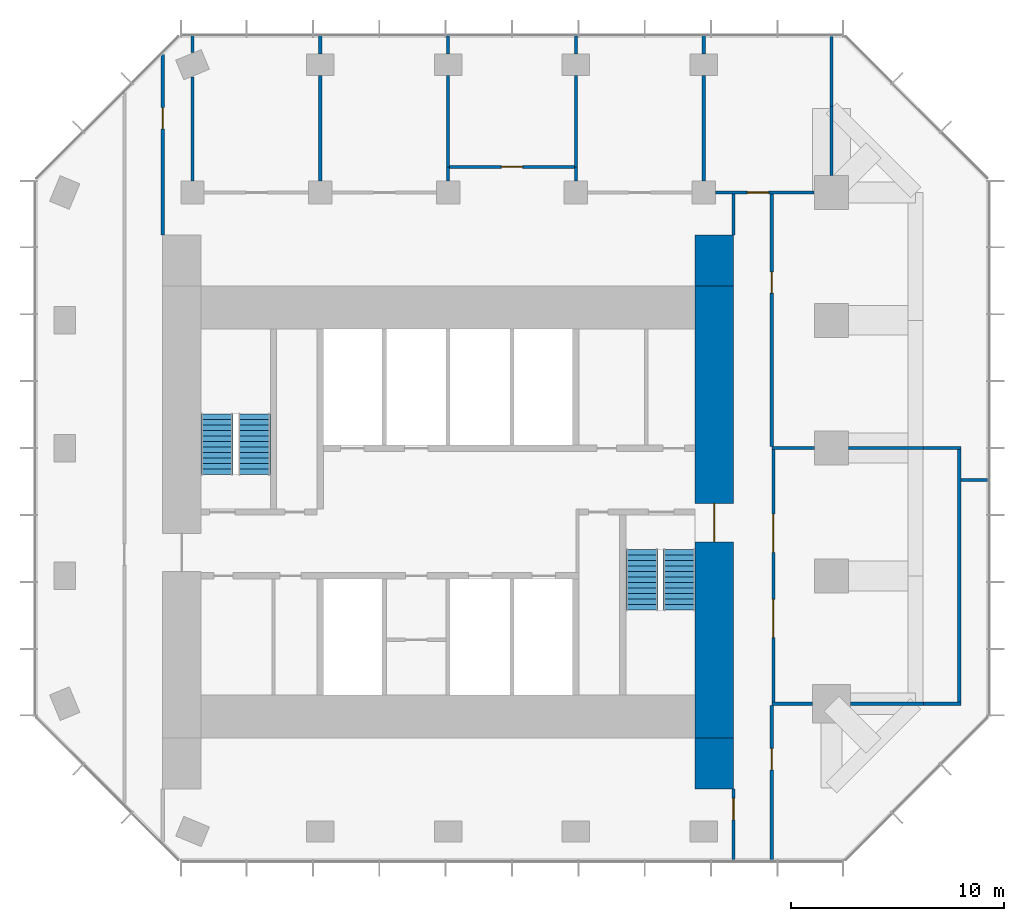
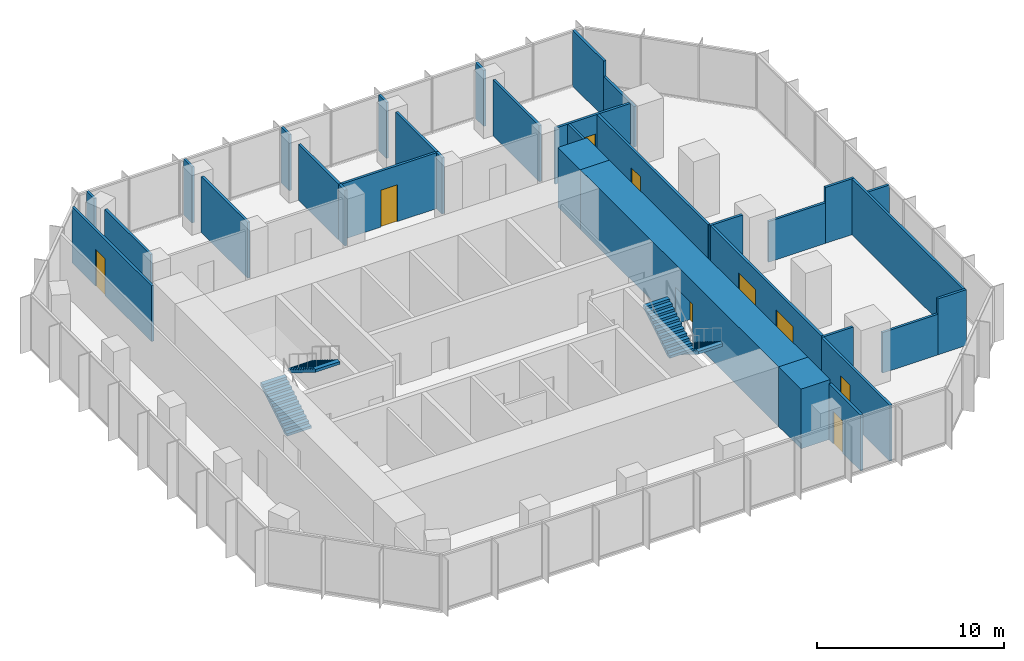
# One storey, part 9 of 10: 33 walls, 9 doors, 4 stair flights, 9 openings, 2 elements without a shape of their own.
"""IFC4 building model written with IfcOpenShell, lengths in metres."""

from ifc_helpers import new_model, si_unit, direction, frame, frame_2d, origin, place, context, subcontext, project, spatial, polyline, rectangle, outline, extrude, material, layer, layer_set, type_object, element, fill, aggregate, save


model = new_model("IFC4")

# Units and contexts
model_context = context("Model", 3, precision=1e-05, world=origin(), true_north=direction((0.0, 1.0)))
body_context = subcontext(model_context, "Body", "Model", "MODEL_VIEW")
ifc_project = project(units=[si_unit("LENGTHUNIT", "METRE"), si_unit("AREAUNIT", "SQUARE_METRE"), si_unit("VOLUMEUNIT", "CUBIC_METRE"), si_unit("PLANEANGLEUNIT", "RADIAN"), si_unit("MASSUNIT", "GRAM", prefix="KILO")], contexts=[model_context])

# Site, building, storey
site_placement = place(None, origin())
site = spatial("IfcSite", under=ifc_project, at=site_placement, CompositionType="ELEMENT")
building_placement = place(site_placement, origin())
building = spatial("IfcBuilding", under=site, at=building_placement, Name="Highveld Stack Headquarters", CompositionType="ELEMENT")
storey_placement = place(building_placement, frame((0.0, 0.0, 245.0)))
storey = spatial("IfcBuildingStorey", under=building, at=storey_placement, Name="L60", CompositionType="ELEMENT", Elevation=245.0)

# Wall, opening, door
ifc_material_1 = material(Name="Concrete C60/75", Category="concrete")
ifc_layer_1 = layer(ifc_material_1, 1.800048828125)
ifc_layer_set_1 = layer_set([ifc_layer_1], Name="Concrete C60/75")
wall_type_1 = type_object("IfcWallType", Name="CORE WALL 1800 C60/75", PredefinedType="SHEAR", material=ifc_layer_set_1)
wall_1_placement = place(storey_placement, frame((18.5, -7.60009765625, 0.0), z_axis=(0.0, 0.0, 1.0), x_axis=(0.0, 1.0, 0.0)))
wall_1 = element("IfcWall", 1, at=wall_1_placement, inside=storey, type_object=wall_type_1, Name="Core wall E L60", PredefinedType="SHEAR", context=body_context, shape_type="SweptSolid", body=[
    extrude(rectangle(XDim=21.2001953125, YDim=1.800048828125, at=frame_2d((10.60009765625, 0.0))), origin(), (0.0, 0.0, 1.0), 3.89990234375),
])
opening_1_placement = place(wall_1_placement, frame((9.199951171875, 0.0, 0.0)))
opening_1 = element("IfcOpeningElement", 2, at=opening_1_placement, cuts=wall_1, Name="Opening L60-02", PredefinedType="OPENING", context=body_context, shape_type="SweptSolid", body=[
    extrude(rectangle(XDim=1.800048828125, YDim=2.39990234375, at=frame_2d((0.89990234375, 1.199951171875))), frame((0.0, 0.909912109375, 0.0), z_axis=(0.0, -1.0, 0.0), x_axis=(1.0, 0.0, 0.0)), (0.0, 0.0, 1.0), 1.820068359375),
])
ifc_material_2 = material(Name="Steel fire door", Category="steel")
door_type_1 = type_object("IfcDoorType", Name="LOBBY FIRE DOOR D4 1800x2400", OperationType="DOUBLE_DOOR_SINGLE_SWING", PredefinedType="DOOR", material=ifc_material_2)
door_1_placement = place(opening_1_placement, origin())
door_1 = element("IfcDoor", 3, at=door_1_placement, inside=storey, type_object=door_type_1, Name="Core east door L60", OperationType="DOUBLE_DOOR_SINGLE_SWING", OverallHeight=2.39990234375, OverallWidth=1.800048828125, PredefinedType="DOOR", context=body_context, shape_type="SweptSolid", body=[
    extrude(rectangle(XDim=1.800048828125, YDim=2.39990234375, at=frame_2d((0.89990234375, 1.199951171875))), frame((0.0, 0.02490234375, 0.0), z_axis=(0.0, -1.0, 0.0), x_axis=(1.0, 0.0, 0.0)), (0.0, 0.0, 1.0), 0.050048828125),
])
fill(opening_1, door_1)

# Walls
ifc_material_3 = material(Name="Concrete C60/75", Category="concrete")
ifc_layer_2 = layer(ifc_material_3, 1.800048828125)
ifc_layer_set_2 = layer_set([ifc_layer_2], Name="Concrete C60/75")
wall_type_2 = type_object("IfcWallType", Name="CORE WING WALL 1800 C60/75", PredefinedType="SHEAR", material=ifc_layer_set_2)
for number, where, z_axis, x_axis, name in (
    (4, (18.5, -10.0, 0.0), (0.0, 0.0, 1.0), (0.0, 1.0, 0.0), "Core wing wall ES L60"),
    (5, (18.5, 13.60009765625, 0.0), (0.0, 0.0, 1.0), (0.0, 1.0, 0.0), "Core wing wall EN L60"),
):
    element("IfcWall", number, at=place(storey_placement, frame(where, z_axis=z_axis, x_axis=x_axis)), inside=storey, type_object=wall_type_2, Name=name, PredefinedType="SHEAR", context=body_context, shape_type="SweptSolid", body=[
        extrude(rectangle(XDim=2.39990234375, YDim=1.800048828125, at=frame_2d((1.199951171875, 0.0))), origin(), (0.0, 0.0, 1.0), 3.89990234375),
    ])
ifc_material_4 = material(Name="Concrete blockwork, plastered", Category="masonry")
ifc_layer_3 = layer(ifc_material_4, 0.14990234375)
ifc_layer_set_3 = layer_set([ifc_layer_3], Name="Concrete blockwork, plastered")
wall_type_3 = type_object("IfcWallType", Name="FIRE PARTITION 150 BLOCKWORK", PredefinedType="PARTITIONING", material=ifc_layer_set_3)
wall_2_placement = place(storey_placement, frame((21.199951171875, -6.0, 0.0), z_axis=(0.0, 0.0, 1.0), x_axis=(1.0, 0.0, 0.0)))
element("IfcWall", 6, at=wall_2_placement, inside=storey, type_object=wall_type_3, Name="Partition Sky lobby L60", PredefinedType="PARTITIONING", context=body_context, shape_type="SweptSolid", body=[
    extrude(rectangle(XDim=1.900146484375, YDim=0.14990234375, at=frame_2d((0.9501953125, 0.0))), origin(), (0.0, 0.0, 1.0), 3.64990234375),
])
wall_3_placement = place(storey_placement, frame((24.89990234375, -6.0, 0.0), z_axis=(0.0, 0.0, 1.0), x_axis=(1.0, 0.0, 0.0)))
element("IfcWall", 7, at=wall_3_placement, inside=storey, type_object=wall_type_3, Name="Partition Sky lobby L60", PredefinedType="PARTITIONING", context=body_context, shape_type="SweptSolid", body=[
    extrude(rectangle(XDim=3.41015625, YDim=0.14990234375, at=frame_2d((1.705078125, 0.0))), origin(), (0.0, 0.0, 1.0), 2.64990234375),
])
wall_4_placement = place(storey_placement, frame((28.31005859375, -6.0, 0.0), z_axis=(0.0, 0.0, 1.0), x_axis=(1.0, 0.0, 0.0)))
element("IfcWall", 8, at=wall_4_placement, inside=storey, type_object=wall_type_3, Name="Partition Sky lobby L60", PredefinedType="PARTITIONING", context=body_context, shape_type="SweptSolid", body=[
    extrude(rectangle(XDim=1.764892578125, YDim=0.14990234375, at=frame_2d((0.88232421875, 0.0))), origin(), (0.0, 0.0, 1.0), 3.64990234375),
])
wall_5_placement = place(storey_placement, frame((21.199951171875, 6.0, 0.0), z_axis=(0.0, 0.0, 1.0), x_axis=(1.0, 0.0, 0.0)))
element("IfcWall", 9, at=wall_5_placement, inside=storey, type_object=wall_type_3, Name="Partition Sky lobby L60", PredefinedType="PARTITIONING", context=body_context, shape_type="SweptSolid", body=[
    extrude(rectangle(XDim=2.0, YDim=0.14990234375, at=frame_2d((1.0, 0.0))), origin(), (0.0, 0.0, 1.0), 3.64990234375),
])
wall_6_placement = place(storey_placement, frame((24.800048828125, 6.0, 0.0), z_axis=(0.0, 0.0, 1.0), x_axis=(1.0, 0.0, 0.0)))
element("IfcWall", 10, at=wall_6_placement, inside=storey, type_object=wall_type_3, Name="Partition Sky lobby L60", PredefinedType="PARTITIONING", context=body_context, shape_type="SweptSolid", body=[
    extrude(rectangle(XDim=3.510009765625, YDim=0.14990234375, at=frame_2d((1.7548828125, 0.0))), origin(), (0.0, 0.0, 1.0), 2.64990234375),
])
wall_7_placement = place(storey_placement, frame((28.31005859375, 6.0, 0.0), z_axis=(0.0, 0.0, 1.0), x_axis=(1.0, 0.0, 0.0)))
element("IfcWall", 11, at=wall_7_placement, inside=storey, type_object=wall_type_3, Name="Partition Sky lobby L60", PredefinedType="PARTITIONING", context=body_context, shape_type="SweptSolid", body=[
    extrude(rectangle(XDim=1.764892578125, YDim=0.14990234375, at=frame_2d((0.88232421875, 0.0))), origin(), (0.0, 0.0, 1.0), 3.64990234375),
])

# Wall, openings, doors
wall_8_placement = place(storey_placement, frame((21.27490234375, -5.925048828125, 0.0), z_axis=(0.0, 0.0, 1.0), x_axis=(0.0, 1.0, 0.0)))
wall_8 = element("IfcWall", 12, at=wall_8_placement, inside=storey, type_object=wall_type_3, Name="Partition Sky lobby L60", PredefinedType="PARTITIONING", context=body_context, shape_type="SweptSolid", body=[
    extrude(rectangle(XDim=11.85009765625, YDim=0.14990234375, at=frame_2d((5.925048828125, 0.0))), origin(), (0.0, 0.0, 1.0), 3.64990234375),
])
opening_2_placement = place(wall_8_placement, frame((3.02490234375, 0.0, 0.0)))
opening_2 = element("IfcOpeningElement", 13, at=opening_2_placement, cuts=wall_8, Name="Opening L60-13", PredefinedType="OPENING", context=body_context, shape_type="SweptSolid", body=[
    extrude(rectangle(XDim=1.800048828125, YDim=2.39990234375, at=frame_2d((0.89990234375, 1.199951171875))), frame((0.0, 0.0849609375, 0.0), z_axis=(0.0, -1.0, 0.0), x_axis=(1.0, 0.0, 0.0)), (0.0, 0.0, 1.0), 0.169921875),
])
opening_3_placement = place(wall_8_placement, frame((7.02490234375, 0.0, 0.0)))
opening_3 = element("IfcOpeningElement", 14, at=opening_3_placement, cuts=wall_8, Name="Opening L60-14", PredefinedType="OPENING", context=body_context, shape_type="SweptSolid", body=[
    extrude(rectangle(XDim=1.800048828125, YDim=2.39990234375, at=frame_2d((0.89990234375, 1.199951171875))), frame((0.0, 0.0849609375, 0.0), z_axis=(0.0, -1.0, 0.0), x_axis=(1.0, 0.0, 0.0)), (0.0, 0.0, 1.0), 0.169921875),
])
door_2_placement = place(opening_2_placement, origin())
door_2 = element("IfcDoor", 15, at=door_2_placement, inside=storey, type_object=door_type_1, Name="Sky lobby door 1 L60", OperationType="DOUBLE_DOOR_SINGLE_SWING", OverallHeight=2.39990234375, OverallWidth=1.800048828125, PredefinedType="DOOR", context=body_context, shape_type="SweptSolid", body=[
    extrude(rectangle(XDim=1.800048828125, YDim=2.39990234375, at=frame_2d((0.89990234375, 1.199951171875))), frame((0.0, 0.02490234375, 0.0), z_axis=(0.0, -1.0, 0.0), x_axis=(1.0, 0.0, 0.0)), (0.0, 0.0, 1.0), 0.050048828125),
])
fill(opening_2, door_2)
door_3_placement = place(opening_3_placement, origin())
door_3 = element("IfcDoor", 16, at=door_3_placement, inside=storey, type_object=door_type_1, Name="Sky lobby door 2 L60", OperationType="DOUBLE_DOOR_SINGLE_SWING", OverallHeight=2.39990234375, OverallWidth=1.800048828125, PredefinedType="DOOR", context=body_context, shape_type="SweptSolid", body=[
    extrude(rectangle(XDim=1.800048828125, YDim=2.39990234375, at=frame_2d((0.89990234375, 1.199951171875))), frame((0.0, 0.02490234375, 0.0), z_axis=(0.0, -1.0, 0.0), x_axis=(1.0, 0.0, 0.0)), (0.0, 0.0, 1.0), 0.050048828125),
])
fill(opening_3, door_3)

# Wall
wall_9_placement = place(storey_placement, frame((30.0, -5.925048828125, 0.0), z_axis=(0.0, 0.0, 1.0), x_axis=(0.0, 1.0, 0.0)))
element("IfcWall", 17, at=wall_9_placement, inside=storey, type_object=wall_type_3, Name="Partition Sky lobby L60", PredefinedType="PARTITIONING", context=body_context, shape_type="SweptSolid", body=[
    extrude(rectangle(XDim=11.85009765625, YDim=0.14990234375, at=frame_2d((5.925048828125, 0.0))), origin(), (0.0, 0.0, 1.0), 3.64990234375),
])

# Wall, opening, door
ifc_material_5 = material(Name="Gypsum plasterboard on steel studs", Category="steel")
ifc_layer_4 = layer(ifc_material_5, 0.14990234375)
ifc_layer_set_4 = layer_set([ifc_layer_4], Name="Gypsum plasterboard on steel studs")
wall_type_4 = type_object("IfcWallType", Name="PARTITION 150 PLASTERBOARD", PredefinedType="PARTITIONING", material=ifc_layer_set_4)
wall_10_placement = place(storey_placement, frame((18.550048828125, 18.0, 0.0), z_axis=(0.0, 0.0, 1.0), x_axis=(1.0, 0.0, 0.0)))
wall_10 = element("IfcWall", 18, at=wall_10_placement, inside=storey, type_object=wall_type_4, Name="Partition Office L60", PredefinedType="PARTITIONING", context=body_context, shape_type="SweptSolid", body=[
    extrude(rectangle(XDim=4.639892578125, YDim=0.14990234375, at=frame_2d((2.31982421875, 0.0))), origin(), (0.0, 0.0, 1.0), 3.64990234375),
])
opening_4_placement = place(wall_10_placement, frame((1.5, 0.0, 0.0)))
opening_4 = element("IfcOpeningElement", 19, at=opening_4_placement, cuts=wall_10, Name="Opening L60-19", PredefinedType="OPENING", context=body_context, shape_type="SweptSolid", body=[
    extrude(rectangle(XDim=1.0, YDim=2.39990234375, at=frame_2d((0.5, 1.199951171875))), frame((0.0, 0.0849609375, 0.0), z_axis=(0.0, -1.0, 0.0), x_axis=(1.0, 0.0, 0.0)), (0.0, 0.0, 1.0), 0.169921875),
])
ifc_material_6 = material(Name="Timber door, oiled ash", Category="wood")
door_type_2 = type_object("IfcDoorType", Name="ROOM DOOR D11 1000x2400", OperationType="SINGLE_SWING_LEFT", PredefinedType="DOOR", material=ifc_material_6)
door_4_placement = place(opening_4_placement, origin())
door_4 = element("IfcDoor", 20, at=door_4_placement, inside=storey, type_object=door_type_2, Name="Office door 1 L60", OperationType="SINGLE_SWING_LEFT", OverallHeight=2.39990234375, OverallWidth=1.0, PredefinedType="DOOR", context=body_context, shape_type="SweptSolid", body=[
    extrude(rectangle(XDim=1.0, YDim=2.39990234375, at=frame_2d((0.5, 1.199951171875))), frame((0.0, 0.02490234375, 0.0), z_axis=(0.0, -1.0, 0.0), x_axis=(1.0, 0.0, 0.0)), (0.0, 0.0, 1.0), 0.050048828125),
])
fill(opening_4, door_4)

wall_11_placement = place(storey_placement, frame((6.074951171875, 19.199951171875, 0.0), z_axis=(0.0, 0.0, 1.0), x_axis=(1.0, 0.0, 0.0)))
wall_11 = element("IfcWall", 21, at=wall_11_placement, inside=storey, type_object=wall_type_4, Name="Partition Tea kitchen L60", PredefinedType="PARTITIONING", context=body_context, shape_type="SweptSolid", body=[
    extrude(rectangle(XDim=5.85009765625, YDim=0.14990234375, at=frame_2d((2.925048828125, 0.0))), origin(), (0.0, 0.0, 1.0), 3.64990234375),
])
opening_5_placement = place(wall_11_placement, frame((2.425048828125, 0.0, 0.0)))
opening_5 = element("IfcOpeningElement", 22, at=opening_5_placement, cuts=wall_11, Name="Opening L60-17", PredefinedType="OPENING", context=body_context, shape_type="SweptSolid", body=[
    extrude(rectangle(XDim=1.0, YDim=2.39990234375, at=frame_2d((0.5, 1.199951171875))), frame((0.0, 0.0849609375, 0.0), z_axis=(0.0, -1.0, 0.0), x_axis=(1.0, 0.0, 0.0)), (0.0, 0.0, 1.0), 0.169921875),
])
door_5_placement = place(opening_5_placement, origin())
door_5 = element("IfcDoor", 23, at=door_5_placement, inside=storey, type_object=door_type_2, Name="Tea kitchen door 1 L60", OperationType="SINGLE_SWING_LEFT", OverallHeight=2.39990234375, OverallWidth=1.0, PredefinedType="DOOR", context=body_context, shape_type="SweptSolid", body=[
    extrude(rectangle(XDim=1.0, YDim=2.39990234375, at=frame_2d((0.5, 1.199951171875))), frame((0.0, 0.02490234375, 0.0), z_axis=(0.0, -1.0, 0.0), x_axis=(1.0, 0.0, 0.0)), (0.0, 0.0, 1.0), 0.050048828125),
])
fill(opening_5, door_5)

# Walls
wall_12_placement = place(storey_placement, frame((-6.0, 18.550048828125, 0.0), z_axis=(0.0, 0.0, 1.0), x_axis=(0.0, 1.0, 0.0)))
element("IfcWall", 24, at=wall_12_placement, inside=storey, type_object=wall_type_4, Name="Partition Office L60", PredefinedType="PARTITIONING", context=body_context, shape_type="SweptSolid", body=[
    extrude(rectangle(XDim=4.877685546875, YDim=0.14990234375, at=frame_2d((2.43896484375, 0.0))), origin(), (0.0, 0.0, 1.0), 3.64990234375),
])
wall_13_placement = place(storey_placement, frame((-6.0, 24.572265625, 0.0), z_axis=(0.0, 0.0, 1.0), x_axis=(0.0, 1.0, 0.0)))
element("IfcWall", 25, at=wall_13_placement, inside=storey, type_object=wall_type_4, Name="Partition Office L60", PredefinedType="PARTITIONING", context=body_context, shape_type="SweptSolid", body=[
    extrude(rectangle(XDim=0.802734375, YDim=0.14990234375, at=frame_2d((0.4013671875, 0.0))), origin(), (0.0, 0.0, 1.0), 3.64990234375),
])
wall_14_placement = place(storey_placement, frame((0.0, 18.550048828125, 0.0), z_axis=(0.0, 0.0, 1.0), x_axis=(0.0, 1.0, 0.0)))
element("IfcWall", 26, at=wall_14_placement, inside=storey, type_object=wall_type_4, Name="Partition Office L60", PredefinedType="PARTITIONING", context=body_context, shape_type="SweptSolid", body=[
    extrude(rectangle(XDim=4.949951171875, YDim=0.14990234375, at=frame_2d((2.47509765625, 0.0))), origin(), (0.0, 0.0, 1.0), 3.64990234375),
])
wall_15_placement = place(storey_placement, frame((0.0, 24.5, 0.0), z_axis=(0.0, 0.0, 1.0), x_axis=(0.0, 1.0, 0.0)))
element("IfcWall", 27, at=wall_15_placement, inside=storey, type_object=wall_type_4, Name="Partition Office L60", PredefinedType="PARTITIONING", context=body_context, shape_type="SweptSolid", body=[
    extrude(rectangle(XDim=0.875, YDim=0.14990234375, at=frame_2d((0.4375, 0.0))), origin(), (0.0, 0.0, 1.0), 3.64990234375),
])
wall_16_placement = place(storey_placement, frame((6.0, 18.550048828125, 0.0), z_axis=(0.0, 0.0, 1.0), x_axis=(0.0, 1.0, 0.0)))
element("IfcWall", 28, at=wall_16_placement, inside=storey, type_object=wall_type_4, Name="Partition Office L60", PredefinedType="PARTITIONING", context=body_context, shape_type="SweptSolid", body=[
    extrude(rectangle(XDim=0.64990234375, YDim=0.14990234375, at=frame_2d((0.324951171875, 0.0))), origin(), (0.0, 0.0, 1.0), 3.64990234375),
])
wall_17_placement = place(storey_placement, frame((6.0, 19.199951171875, 0.0), z_axis=(0.0, 0.0, 1.0), x_axis=(0.0, 1.0, 0.0)))
element("IfcWall", 29, at=wall_17_placement, inside=storey, type_object=wall_type_4, Name="Partition Office / Tea kitchen L60", PredefinedType="PARTITIONING", context=body_context, shape_type="SweptSolid", body=[
    extrude(rectangle(XDim=4.300048828125, YDim=0.14990234375, at=frame_2d((2.14990234375, 0.0))), origin(), (0.0, 0.0, 1.0), 3.64990234375),
])
wall_18_placement = place(storey_placement, frame((6.0, 24.5, 0.0), z_axis=(0.0, 0.0, 1.0), x_axis=(0.0, 1.0, 0.0)))
element("IfcWall", 30, at=wall_18_placement, inside=storey, type_object=wall_type_4, Name="Partition Office / Tea kitchen L60", PredefinedType="PARTITIONING", context=body_context, shape_type="SweptSolid", body=[
    extrude(rectangle(XDim=0.85009765625, YDim=0.14990234375, at=frame_2d((0.425048828125, 0.0))), origin(), (0.0, 0.0, 1.0), 3.64990234375),
])
wall_19_placement = place(storey_placement, frame((12.0, 18.550048828125, 0.0), z_axis=(0.0, 0.0, 1.0), x_axis=(0.0, 1.0, 0.0)))
element("IfcWall", 31, at=wall_19_placement, inside=storey, type_object=wall_type_4, Name="Partition Office L60", PredefinedType="PARTITIONING", context=body_context, shape_type="SweptSolid", body=[
    extrude(rectangle(XDim=0.64990234375, YDim=0.14990234375, at=frame_2d((0.324951171875, 0.0))), origin(), (0.0, 0.0, 1.0), 3.64990234375),
])
wall_20_placement = place(storey_placement, frame((12.0, 19.199951171875, 0.0), z_axis=(0.0, 0.0, 1.0), x_axis=(0.0, 1.0, 0.0)))
element("IfcWall", 32, at=wall_20_placement, inside=storey, type_object=wall_type_4, Name="Partition Office / Tea kitchen L60", PredefinedType="PARTITIONING", context=body_context, shape_type="SweptSolid", body=[
    extrude(rectangle(XDim=4.300048828125, YDim=0.14990234375, at=frame_2d((2.14990234375, 0.0))), origin(), (0.0, 0.0, 1.0), 3.64990234375),
])
wall_21_placement = place(storey_placement, frame((12.0, 24.5, 0.0), z_axis=(0.0, 0.0, 1.0), x_axis=(0.0, 1.0, 0.0)))
element("IfcWall", 33, at=wall_21_placement, inside=storey, type_object=wall_type_4, Name="Partition Office / Tea kitchen L60", PredefinedType="PARTITIONING", context=body_context, shape_type="SweptSolid", body=[
    extrude(rectangle(XDim=0.85009765625, YDim=0.14990234375, at=frame_2d((0.425048828125, 0.0))), origin(), (0.0, 0.0, 1.0), 3.64990234375),
])
wall_22_placement = place(storey_placement, frame((18.0, 18.550048828125, 0.0), z_axis=(0.0, 0.0, 1.0), x_axis=(0.0, 1.0, 0.0)))
element("IfcWall", 34, at=wall_22_placement, inside=storey, type_object=wall_type_4, Name="Partition Office L60", PredefinedType="PARTITIONING", context=body_context, shape_type="SweptSolid", body=[
    extrude(rectangle(XDim=4.949951171875, YDim=0.14990234375, at=frame_2d((2.47509765625, 0.0))), origin(), (0.0, 0.0, 1.0), 3.64990234375),
])
wall_23_placement = place(storey_placement, frame((18.0, 24.5, 0.0), z_axis=(0.0, 0.0, 1.0), x_axis=(0.0, 1.0, 0.0)))
element("IfcWall", 35, at=wall_23_placement, inside=storey, type_object=wall_type_4, Name="Partition Office L60", PredefinedType="PARTITIONING", context=body_context, shape_type="SweptSolid", body=[
    extrude(rectangle(XDim=0.875, YDim=0.14990234375, at=frame_2d((0.4375, 0.0))), origin(), (0.0, 0.0, 1.0), 3.64990234375),
])
wall_24_placement = place(storey_placement, frame((24.0, 18.800048828125, 0.0), z_axis=(0.0, 0.0, 1.0), x_axis=(0.0, 1.0, 0.0)))
element("IfcWall", 36, at=wall_24_placement, inside=storey, type_object=wall_type_4, Name="Partition Office L60", PredefinedType="PARTITIONING", context=body_context, shape_type="SweptSolid", body=[
    extrude(rectangle(XDim=3.244873046875, YDim=0.14990234375, at=frame_2d((1.62255859375, 0.0))), origin(), (0.0, 0.0, 1.0), 2.64990234375),
])
wall_25_placement = place(storey_placement, frame((24.0, 22.044921875, 0.0), z_axis=(0.0, 0.0, 1.0), x_axis=(0.0, 1.0, 0.0)))
element("IfcWall", 37, at=wall_25_placement, inside=storey, type_object=wall_type_4, Name="Partition Office L60", PredefinedType="PARTITIONING", context=body_context, shape_type="SweptSolid", body=[
    extrude(rectangle(XDim=3.330078125, YDim=0.14990234375, at=frame_2d((1.6650390625, 0.0))), origin(), (0.0, 0.0, 1.0), 3.64990234375),
])

# Wall, opening, door
wall_26_placement = place(storey_placement, frame((-7.39990234375, 16.0, 0.0), z_axis=(0.0, 0.0, 1.0), x_axis=(0.0, 1.0, 0.0)))
wall_26 = element("IfcWall", 38, at=wall_26_placement, inside=storey, type_object=wall_type_4, Name="Partition office neighbourhood L60", PredefinedType="PARTITIONING", context=body_context, shape_type="SweptSolid", body=[
    extrude(rectangle(XDim=8.489013671875, YDim=0.14990234375, at=frame_2d((4.24462890625, 0.0))), origin(), (0.0, 0.0, 1.0), 3.64990234375),
])
opening_6_placement = place(wall_26_placement, frame((4.985107421875, 0.0, 0.0)))
opening_6 = element("IfcOpeningElement", 39, at=opening_6_placement, cuts=wall_26, Name="Opening L60-23", PredefinedType="OPENING", context=body_context, shape_type="SweptSolid", body=[
    extrude(rectangle(XDim=1.0, YDim=2.39990234375, at=frame_2d((0.5, 1.199951171875))), frame((0.0, 0.0849609375, 0.0), z_axis=(0.0, -1.0, 0.0), x_axis=(1.0, 0.0, 0.0)), (0.0, 0.0, 1.0), 0.169921875),
])
door_6_placement = place(opening_6_placement, origin())
door_6 = element("IfcDoor", 40, at=door_6_placement, inside=storey, type_object=door_type_2, Name="Office neighbourhood door L60", OperationType="SINGLE_SWING_RIGHT", OverallHeight=2.39990234375, OverallWidth=1.0, PredefinedType="DOOR", context=body_context, shape_type="SweptSolid", body=[
    extrude(rectangle(XDim=1.0, YDim=2.39990234375, at=frame_2d((0.5, 1.199951171875))), frame((0.0, 0.02490234375, 0.0), z_axis=(0.0, -1.0, 0.0), x_axis=(1.0, 0.0, 0.0)), (0.0, 0.0, 1.0), 0.050048828125),
])
fill(opening_6, door_6)

wall_27_placement = place(storey_placement, frame((19.39990234375, -13.375, 0.0), z_axis=(0.0, 0.0, 1.0), x_axis=(0.0, 1.0, 0.0)))
wall_27 = element("IfcWall", 41, at=wall_27_placement, inside=storey, type_object=wall_type_4, Name="Partition office neighbourhood L60", PredefinedType="PARTITIONING", context=body_context, shape_type="SweptSolid", body=[
    extrude(rectangle(XDim=3.375, YDim=0.14990234375, at=frame_2d((1.6875, 0.0))), origin(), (0.0, 0.0, 1.0), 3.64990234375),
])
opening_7_placement = place(wall_27_placement, frame((1.925048828125, 0.0, 0.0)))
opening_7 = element("IfcOpeningElement", 42, at=opening_7_placement, cuts=wall_27, Name="Opening L60-24", PredefinedType="OPENING", context=body_context, shape_type="SweptSolid", body=[
    extrude(rectangle(XDim=1.0, YDim=2.10009765625, at=frame_2d((0.5, 1.050048828125))), frame((0.0, 0.0849609375, 0.0), z_axis=(0.0, -1.0, 0.0), x_axis=(1.0, 0.0, 0.0)), (0.0, 0.0, 1.0), 0.169921875),
])
ifc_material_7 = material(Name="Timber door, oiled ash", Category="wood")
door_type_3 = type_object("IfcDoorType", Name="ROOM DOOR D6 1000x2100", OperationType="SINGLE_SWING_LEFT", PredefinedType="DOOR", material=ifc_material_7)
door_7_placement = place(opening_7_placement, origin())
door_7 = element("IfcDoor", 43, at=door_7_placement, inside=storey, type_object=door_type_3, Name="Office neighbourhood door L60", OperationType="SINGLE_SWING_RIGHT", OverallHeight=2.10009765625, OverallWidth=1.0, PredefinedType="DOOR", context=body_context, shape_type="SweptSolid", body=[
    extrude(rectangle(XDim=1.0, YDim=2.10009765625, at=frame_2d((0.5, 1.050048828125))), frame((0.0, 0.02490234375, 0.0), z_axis=(0.0, -1.0, 0.0), x_axis=(1.0, 0.0, 0.0)), (0.0, 0.0, 1.0), 0.050048828125),
])
fill(opening_7, door_7)

# Wall
wall_28_placement = place(storey_placement, frame((19.39990234375, 16.0, 0.0), z_axis=(0.0, 0.0, 1.0), x_axis=(0.0, 1.0, 0.0)))
element("IfcWall", 44, at=wall_28_placement, inside=storey, type_object=wall_type_4, Name="Partition office neighbourhood L60", PredefinedType="PARTITIONING", context=body_context, shape_type="SweptSolid", body=[
    extrude(rectangle(XDim=1.925048828125, YDim=0.14990234375, at=frame_2d((0.96240234375, 0.0))), origin(), (0.0, 0.0, 1.0), 3.64990234375),
])

# Wall, opening, door
wall_29_placement = place(storey_placement, frame((21.199951171875, -13.375, 0.0), z_axis=(0.0, 0.0, 1.0), x_axis=(0.0, 1.0, 0.0)))
wall_29 = element("IfcWall", 45, at=wall_29_placement, inside=storey, type_object=wall_type_4, Name="Partition office neighbourhood L60", PredefinedType="PARTITIONING", context=body_context, shape_type="SweptSolid", body=[
    extrude(rectangle(XDim=7.300048828125, YDim=0.14990234375, at=frame_2d((3.64990234375, 0.0))), origin(), (0.0, 0.0, 1.0), 3.64990234375),
])
opening_8_placement = place(wall_29_placement, frame((4.27099609375, 0.0, 0.0)))
opening_8 = element("IfcOpeningElement", 46, at=opening_8_placement, cuts=wall_29, Name="Opening L60-20", PredefinedType="OPENING", context=body_context, shape_type="SweptSolid", body=[
    extrude(rectangle(XDim=1.0, YDim=2.39990234375, at=frame_2d((0.5, 1.199951171875))), frame((0.0, 0.0849609375, 0.0), z_axis=(0.0, -1.0, 0.0), x_axis=(1.0, 0.0, 0.0)), (0.0, 0.0, 1.0), 0.169921875),
])
door_8_placement = place(opening_8_placement, origin())
door_8 = element("IfcDoor", 47, at=door_8_placement, inside=storey, type_object=door_type_2, Name="Office neighbourhood door L60", OperationType="SINGLE_SWING_RIGHT", OverallHeight=2.39990234375, OverallWidth=1.0, PredefinedType="DOOR", context=body_context, shape_type="SweptSolid", body=[
    extrude(rectangle(XDim=1.0, YDim=2.39990234375, at=frame_2d((0.5, 1.199951171875))), frame((0.0, 0.02490234375, 0.0), z_axis=(0.0, -1.0, 0.0), x_axis=(1.0, 0.0, 0.0)), (0.0, 0.0, 1.0), 0.050048828125),
])
fill(opening_8, door_8)

wall_30_placement = place(storey_placement, frame((21.199951171875, 6.074951171875, 0.0), z_axis=(0.0, 0.0, 1.0), x_axis=(0.0, 1.0, 0.0)))
wall_30 = element("IfcWall", 48, at=wall_30_placement, inside=storey, type_object=wall_type_4, Name="Partition office neighbourhood L60", PredefinedType="PARTITIONING", context=body_context, shape_type="SweptSolid", body=[
    extrude(rectangle(XDim=11.85009765625, YDim=0.14990234375, at=frame_2d((5.925048828125, 0.0))), origin(), (0.0, 0.0, 1.0), 3.64990234375),
])
opening_9_placement = place(wall_30_placement, frame((7.201904296875, 0.0, 0.0)))
opening_9 = element("IfcOpeningElement", 49, at=opening_9_placement, cuts=wall_30, Name="Opening L60-22", PredefinedType="OPENING", context=body_context, shape_type="SweptSolid", body=[
    extrude(rectangle(XDim=1.0, YDim=2.39990234375, at=frame_2d((0.5, 1.199951171875))), frame((0.0, 0.0849609375, 0.0), z_axis=(0.0, -1.0, 0.0), x_axis=(1.0, 0.0, 0.0)), (0.0, 0.0, 1.0), 0.169921875),
])
door_9_placement = place(opening_9_placement, origin())
door_9 = element("IfcDoor", 50, at=door_9_placement, inside=storey, type_object=door_type_2, Name="Office neighbourhood door L60", OperationType="SINGLE_SWING_RIGHT", OverallHeight=2.39990234375, OverallWidth=1.0, PredefinedType="DOOR", context=body_context, shape_type="SweptSolid", body=[
    extrude(rectangle(XDim=1.0, YDim=2.39990234375, at=frame_2d((0.5, 1.199951171875))), frame((0.0, 0.02490234375, 0.0), z_axis=(0.0, -1.0, 0.0), x_axis=(1.0, 0.0, 0.0)), (0.0, 0.0, 1.0), 0.050048828125),
])
fill(opening_9, door_9)

# Wall
wall_31_placement = place(storey_placement, frame((30.074951171875, 4.5, 0.0), z_axis=(0.0, 0.0, 1.0), x_axis=(1.0, 0.0, 0.0)))
element("IfcWall", 51, at=wall_31_placement, inside=storey, type_object=wall_type_4, Name="Partition office neighbourhood L60", PredefinedType="PARTITIONING", context=body_context, shape_type="SweptSolid", body=[
    extrude(rectangle(XDim=1.300048828125, YDim=0.14990234375, at=frame_2d((0.64990234375, 0.0))), origin(), (0.0, 0.0, 1.0), 3.64990234375),
])

# Stair, stair flights
ifc_material_8 = material(Name="Concrete C40/50, precast", Category="concrete")
stair_type_1 = type_object("IfcStairType", Name="STAIR S1 HALF TURN 1500", PredefinedType="HALF_TURN_STAIR", material=ifc_material_8)
stair_1_placement = place(storey_placement, origin())
stair_1 = element("IfcStair", 52, at=stair_1_placement, inside=storey, type_object=stair_type_1, Name="Stair S1 L60", PredefinedType="HALF_TURN_STAIR")
ifc_material_9 = material(Name="Concrete C40/50, precast", Category="concrete")
stair_flight_type = type_object("IfcStairFlightType", Name="STAIR FLIGHT 1500 PRECAST", PredefinedType="STRAIGHT", material=ifc_material_9)
stair_flight_1_placement = place(storey_placement, frame((-4.85009765625, 4.75, 0.0), z_axis=(0.0, 0.0, 1.0), x_axis=(0.0, 1.0, 0.0)))
stair_flight_1 = element("IfcStairFlight", 53, at=stair_flight_1_placement, type_object=stair_flight_type, Name="S1 flight 1", NumberOfRisers=12, NumberOfTreads=11, PredefinedType="STRAIGHT", RiserHeight=0.1625, TreadLength=0.26, context=body_context, shape_type="SweptSolid", body=[
    extrude(outline(polyline([(0.0, 0.0), (0.0, 0.16259765625), (0.260009765625, 0.16259765625), (0.260009765625, 0.324951171875), (0.52001953125, 0.324951171875), (0.52001953125, 0.487548828125), (0.780029296875, 0.487548828125), (0.780029296875, 0.64990234375), (1.0400390625, 0.64990234375), (1.0400390625, 0.8125), (1.300048828125, 0.8125), (1.300048828125, 0.97509765625), (1.56005859375, 0.97509765625), (1.56005859375, 1.137451171875), (1.820068359375, 1.137451171875), (1.820068359375, 1.300048828125), (2.080078125, 1.300048828125), (2.080078125, 1.46240234375), (2.340087890625, 1.46240234375), (2.340087890625, 1.625), (2.60009765625, 1.625), (2.60009765625, 1.78759765625), (2.860107421875, 1.78759765625), (2.860107421875, 1.949951171875), (2.860107421875, 1.61083984375), (0.28271484375, 0.0), (0.0, 0.0)])), frame((0.0, 0.75, 0.0), z_axis=(0.0, -1.0, 0.0), x_axis=(1.0, 0.0, 0.0)), (0.0, 0.0, 1.0), 1.5),
])
stair_flight_2_placement = place(storey_placement, frame((-3.10009765625, 7.610107421875, 1.949951171875), z_axis=(0.0, 0.0, 1.0), x_axis=(0.0, -1.0, 0.0)))
stair_flight_2 = element("IfcStairFlight", 54, at=stair_flight_2_placement, type_object=stair_flight_type, Name="S1 flight 2", NumberOfRisers=12, NumberOfTreads=11, PredefinedType="STRAIGHT", RiserHeight=0.1625, TreadLength=0.26, context=body_context, shape_type="SweptSolid", body=[
    extrude(outline(polyline([(0.0, 0.0), (0.0, 0.16259765625), (0.260009765625, 0.16259765625), (0.260009765625, 0.324951171875), (0.52001953125, 0.324951171875), (0.52001953125, 0.487548828125), (0.780029296875, 0.487548828125), (0.780029296875, 0.64990234375), (1.0400390625, 0.64990234375), (1.0400390625, 0.8125), (1.300048828125, 0.8125), (1.300048828125, 0.97509765625), (1.56005859375, 0.97509765625), (1.56005859375, 1.137451171875), (1.820068359375, 1.137451171875), (1.820068359375, 1.300048828125), (2.080078125, 1.300048828125), (2.080078125, 1.46240234375), (2.340087890625, 1.46240234375), (2.340087890625, 1.625), (2.60009765625, 1.625), (2.60009765625, 1.78759765625), (2.860107421875, 1.78759765625), (2.860107421875, 1.949951171875), (2.860107421875, 1.61083984375), (0.28271484375, 0.0), (0.0, 0.0)])), frame((0.0, 0.75, 0.0), z_axis=(0.0, -1.0, 0.0), x_axis=(1.0, 0.0, 0.0)), (0.0, 0.0, 1.0), 1.5),
])
aggregate(stair_1, [stair_flight_1, stair_flight_2])

ifc_material_10 = material(Name="Concrete C40/50, precast", Category="concrete")
stair_type_2 = type_object("IfcStairType", Name="STAIR S2 HALF TURN 1500", PredefinedType="HALF_TURN_STAIR", material=ifc_material_10)
stair_2_placement = place(storey_placement, origin())
stair_2 = element("IfcStair", 55, at=stair_2_placement, inside=storey, type_object=stair_type_2, Name="Stair S2 L60", PredefinedType="HALF_TURN_STAIR")
stair_flight_3_placement = place(storey_placement, frame((16.85009765625, 1.25, 0.0), z_axis=(0.0, 0.0, 1.0), x_axis=(0.0, -1.0, 0.0)))
stair_flight_3 = element("IfcStairFlight", 56, at=stair_flight_3_placement, type_object=stair_flight_type, Name="S2 flight 1", NumberOfRisers=12, NumberOfTreads=11, PredefinedType="STRAIGHT", RiserHeight=0.1625, TreadLength=0.26, context=body_context, shape_type="SweptSolid", body=[
    extrude(outline(polyline([(0.0, 0.0), (0.0, 0.16259765625), (0.260009765625, 0.16259765625), (0.260009765625, 0.324951171875), (0.52001953125, 0.324951171875), (0.52001953125, 0.487548828125), (0.780029296875, 0.487548828125), (0.780029296875, 0.64990234375), (1.0400390625, 0.64990234375), (1.0400390625, 0.8125), (1.300048828125, 0.8125), (1.300048828125, 0.97509765625), (1.56005859375, 0.97509765625), (1.56005859375, 1.137451171875), (1.820068359375, 1.137451171875), (1.820068359375, 1.300048828125), (2.080078125, 1.300048828125), (2.080078125, 1.46240234375), (2.340087890625, 1.46240234375), (2.340087890625, 1.625), (2.60009765625, 1.625), (2.60009765625, 1.78759765625), (2.860107421875, 1.78759765625), (2.860107421875, 1.949951171875), (2.860107421875, 1.61083984375), (0.28271484375, 0.0), (0.0, 0.0)])), frame((0.0, 0.75, 0.0), z_axis=(0.0, -1.0, 0.0), x_axis=(1.0, 0.0, 0.0)), (0.0, 0.0, 1.0), 1.5),
])
stair_flight_4_placement = place(storey_placement, frame((15.10009765625, -1.610107421875, 1.949951171875), z_axis=(0.0, 0.0, 1.0), x_axis=(0.0, 1.0, 0.0)))
stair_flight_4 = element("IfcStairFlight", 57, at=stair_flight_4_placement, type_object=stair_flight_type, Name="S2 flight 2", NumberOfRisers=12, NumberOfTreads=11, PredefinedType="STRAIGHT", RiserHeight=0.1625, TreadLength=0.26, context=body_context, shape_type="SweptSolid", body=[
    extrude(outline(polyline([(0.0, 0.0), (0.0, 0.16259765625), (0.260009765625, 0.16259765625), (0.260009765625, 0.324951171875), (0.52001953125, 0.324951171875), (0.52001953125, 0.487548828125), (0.780029296875, 0.487548828125), (0.780029296875, 0.64990234375), (1.0400390625, 0.64990234375), (1.0400390625, 0.8125), (1.300048828125, 0.8125), (1.300048828125, 0.97509765625), (1.56005859375, 0.97509765625), (1.56005859375, 1.137451171875), (1.820068359375, 1.137451171875), (1.820068359375, 1.300048828125), (2.080078125, 1.300048828125), (2.080078125, 1.46240234375), (2.340087890625, 1.46240234375), (2.340087890625, 1.625), (2.60009765625, 1.625), (2.60009765625, 1.78759765625), (2.860107421875, 1.78759765625), (2.860107421875, 1.949951171875), (2.860107421875, 1.61083984375), (0.28271484375, 0.0), (0.0, 0.0)])), frame((0.0, 0.75, 0.0), z_axis=(0.0, -1.0, 0.0), x_axis=(1.0, 0.0, 0.0)), (0.0, 0.0, 1.0), 1.5),
])
aggregate(stair_2, [stair_flight_3, stair_flight_4])

save(model, "model.ifc")
